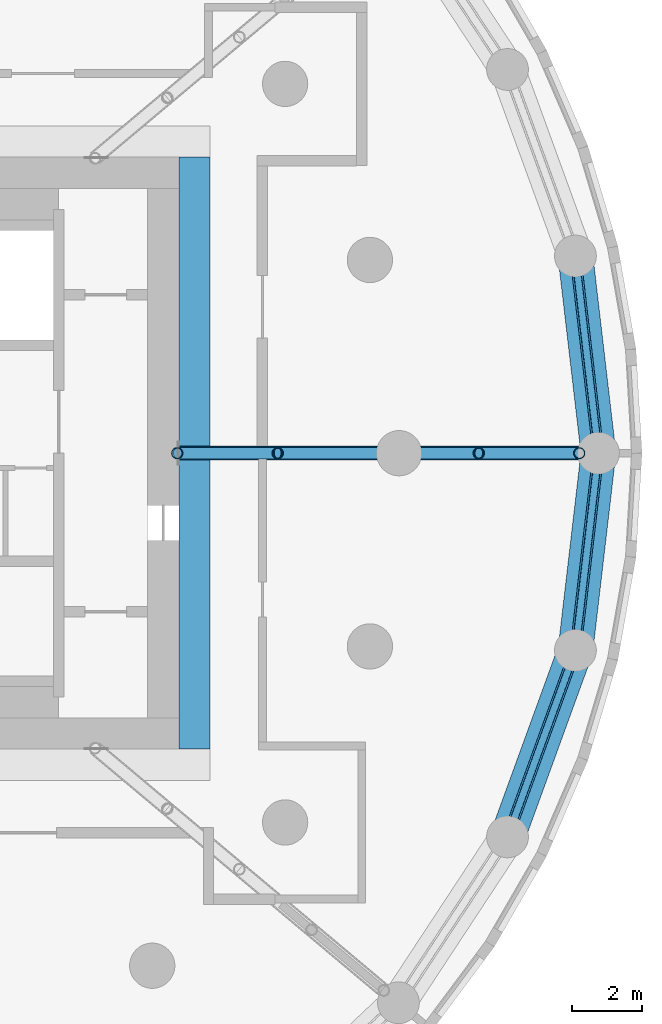
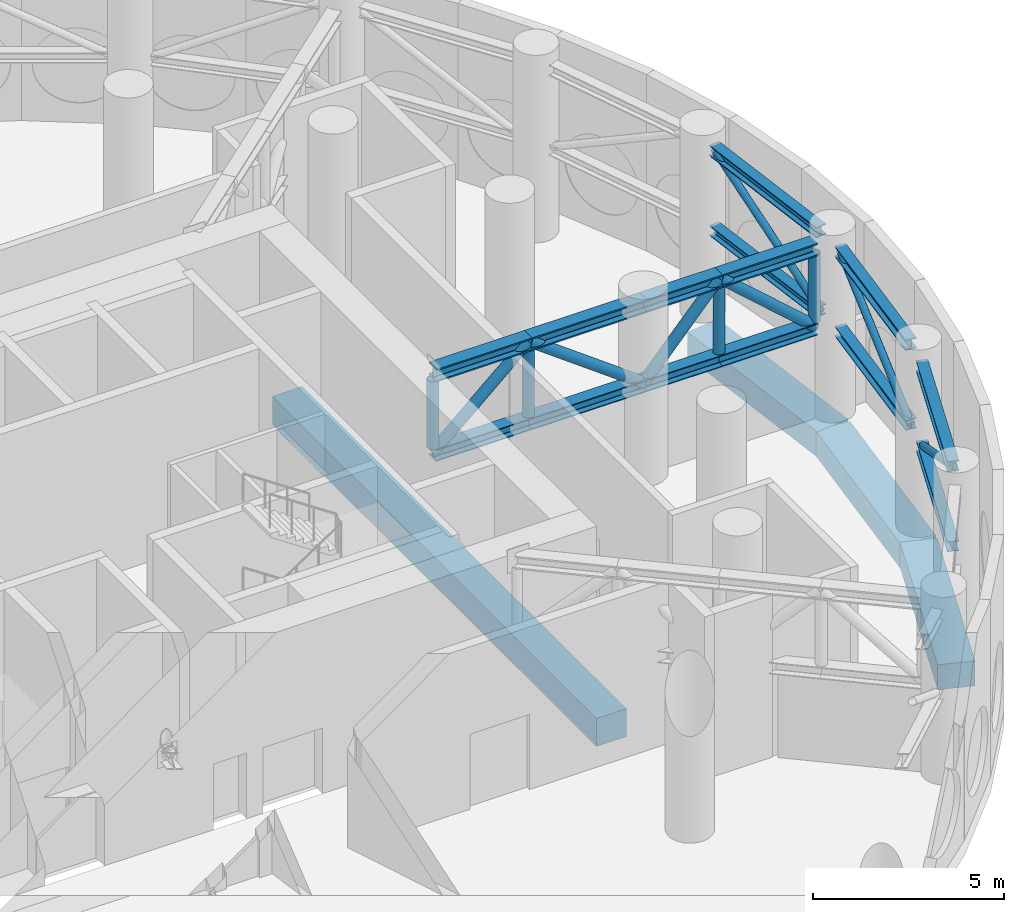
# One storey, part 4 of 15: 25 members, 4 beams.
"""IFC4 building model written with IfcOpenShell, lengths in metres."""

from ifc_helpers import new_model, si_unit, direction, frame, origin, origin_2d, place, context, subcontext, project, spatial, rectangle, hollow_circle, i_section, extrude, material, material_profile, profile_set, type_object, element, save


model = new_model("IFC4")

# Units and contexts
model_context = context("Model", 3, precision=1e-05, world=origin(), true_north=direction((0.0, 1.0)))
body_context = subcontext(model_context, "Body", "Model", "MODEL_VIEW")
ifc_project = project(units=[si_unit("LENGTHUNIT", "METRE"), si_unit("AREAUNIT", "SQUARE_METRE"), si_unit("VOLUMEUNIT", "CUBIC_METRE"), si_unit("PLANEANGLEUNIT", "RADIAN"), si_unit("MASSUNIT", "GRAM", prefix="KILO")], contexts=[model_context])

# Site, building, storey
site_placement = place(None, origin())
site = spatial("IfcSite", under=ifc_project, at=site_placement, CompositionType="ELEMENT")
building_placement = place(site_placement, origin())
building = spatial("IfcBuilding", under=site, at=building_placement, Name="Tracery Tower", CompositionType="ELEMENT")
storey_placement = place(building_placement, frame((0.0, 0.0, 225.0)))
storey = spatial("IfcBuildingStorey", under=building, at=storey_placement, Name="L58 Plant", CompositionType="ELEMENT", Elevation=225.0)

# Members
ifc_material_1 = material(Name="Steel S355", Category="steel")
ifc_material_profile_1 = material_profile(ifc_material_1, i_section(OverallWidth=0.30908203125, OverallDepth=0.320556640625, WebThickness=0.013916015625, FlangeThickness=0.021728515625, FilletRadius=0.01513671875, at=origin_2d()), Name="UKC 305x305x137")
ifc_profile_set_1 = profile_set([ifc_material_profile_1], Name="Steel S355")
member_type_1 = type_object("IfcMemberType", Name="Belt truss bottom chord UKC 305x305x137", PredefinedType="CHORD", material=ifc_profile_set_1)
for number, where, z_axis, x_axis, name in (
    (1, (24.48974609375, 0.49658203125, 2.88720703125), (-0.116102779925, 0.993237204546, 0.0), (-0.993237204546, -0.116102779925, 0.0), "Belt truss bottom chord 1"),
    (2, (22.107666015625, -10.547119140625, 2.88720703125), (0.342026676886, 0.939690242739, 0.0), (-0.939690242739, 0.342026676886, 0.0), "Belt truss bottom chord 26"),
    (3, (23.944091796875, -5.16455078125, 2.88720703125), (0.116102779925, 0.993237204546, 0.0), (-0.993237204546, 0.116102779925, 0.0), "Belt truss bottom chord 27"),
):
    element("IfcMember", number, at=place(storey_placement, frame(where, z_axis=z_axis, x_axis=x_axis)), inside=storey, type_object=member_type_1, Name=name, PredefinedType="CHORD", context=body_context, shape_type="SweptSolid", body=[
        extrude(i_section(OverallWidth=0.30908203125, OverallDepth=0.320556640625, WebThickness=0.013916015625, FlangeThickness=0.021728515625, FilletRadius=0.01513671875, at=origin_2d()), origin(), (0.0, 0.0, 1.0), 4.69970703125),
    ])
ifc_material_2 = material(Name="Steel S355", Category="steel")
ifc_material_profile_2 = material_profile(ifc_material_2, hollow_circle(Radius=0.109619140625, WallThickness=0.010009765625, at=origin_2d()), Name="CHS 219.1x10")
ifc_profile_set_2 = profile_set([ifc_material_profile_2], Name="Steel S355")
member_type_2 = type_object("IfcMemberType", Name="Belt truss diagonal CHS 219.1x10", PredefinedType="BRACE", material=ifc_profile_set_2)
for number, where, z_axis, x_axis, name in (
    (4, (24.48974609375, 0.49658203125, 2.88720703125), (-0.101961946106, 0.872265060196, 0.478285925266), (-0.993237204546, -0.116102779925, 0.0), "Belt truss diagonal 1"),
    (5, (22.107666015625, -10.547119140625, 5.44677734375), (0.30036845396, 0.825237691933, -0.478290229545), (-0.939690242739, 0.342026676886, 0.0), "Belt truss diagonal 26"),
    (6, (23.944091796875, -5.16455078125, 2.88720703125), (0.101961946106, 0.872265060196, 0.478285925266), (-0.993237204546, 0.116102779925, 0.0), "Belt truss diagonal 27"),
):
    element("IfcMember", number, at=place(storey_placement, frame(where, z_axis=z_axis, x_axis=x_axis)), inside=storey, type_object=member_type_2, Name=name, PredefinedType="BRACE", context=body_context, shape_type="SweptSolid", body=[
        extrude(hollow_circle(Radius=0.109619140625, WallThickness=0.010009765625, at=origin_2d()), origin(), (0.0, 0.0, 1.0), 5.3515625),
    ])
ifc_material_3 = material(Name="Steel S355", Category="steel")
ifc_material_profile_3 = material_profile(ifc_material_3, i_section(OverallWidth=0.314453125, OverallDepth=0.33984375, WebThickness=0.01904296875, FlangeThickness=0.031494140625, FilletRadius=0.01513671875, at=origin_2d()), Name="UKC 305x305x198")
ifc_profile_set_3 = profile_set([ifc_material_profile_3], Name="Steel S355")
member_type_3 = type_object("IfcMemberType", Name="Belt truss top chord UKC 305x305x198", PredefinedType="CHORD", material=ifc_profile_set_3)
for number, where, z_axis, x_axis, name in (
    (7, (24.48974609375, 0.49658203125, 5.44677734375), (-0.116102779925, 0.993237204546, 0.0), (-0.993237204546, -0.116102779925, 0.0), "Belt truss top chord 1"),
    (8, (22.107666015625, -10.547119140625, 5.44677734375), (0.342026676886, 0.939690242739, 0.0), (-0.939690242739, 0.342026676886, 0.0), "Belt truss top chord 26"),
    (9, (23.944091796875, -5.16455078125, 5.44677734375), (0.116102779925, 0.993237204546, 0.0), (-0.993237204546, 0.116102779925, 0.0), "Belt truss top chord 27"),
):
    element("IfcMember", number, at=place(storey_placement, frame(where, z_axis=z_axis, x_axis=x_axis)), inside=storey, type_object=member_type_3, Name=name, PredefinedType="CHORD", context=body_context, shape_type="SweptSolid", body=[
        extrude(i_section(OverallWidth=0.314453125, OverallDepth=0.33984375, WebThickness=0.01904296875, FlangeThickness=0.031494140625, FilletRadius=0.01513671875, at=origin_2d()), origin(), (0.0, 0.0, 1.0), 4.69970703125),
    ])

# Beam
ifc_material_4 = material(Name="Concrete C50/60", Category="concrete")
ifc_material_profile_4 = material_profile(ifc_material_4, rectangle(XDim=0.89990234375, YDim=0.89990234375, at=origin_2d()), Name="RC 900x900")
ifc_profile_set_4 = profile_set([ifc_material_profile_4], Name="Concrete C50/60")
beam_type_1 = type_object("IfcBeamType", Name="Core slab edge beam 900x900", PredefinedType="BEAM", material=ifc_profile_set_4)
beam_placement = place(storey_placement, frame((12.949951171875, -8.5, -0.949951171875), z_axis=(0.0, 1.0, 0.0), x_axis=(-1.0, 0.0, 0.0)))
element("IfcBeam", 10, at=beam_placement, inside=storey, type_object=beam_type_1, Name="Core hole edge beam E at L58 Plant", PredefinedType="BEAM", context=body_context, shape_type="SweptSolid", body=[
    extrude(rectangle(XDim=0.89990234375, YDim=0.89990234375, at=origin_2d()), origin(), (0.0, 0.0, 1.0), 17.0),
])

# Members
ifc_material_5 = material(Name="Steel S355", Category="steel")
ifc_material_profile_5 = material_profile(ifc_material_5, i_section(OverallWidth=0.374755859375, OverallDepth=0.37451171875, WebThickness=0.0166015625, FlangeThickness=0.027099609375, FilletRadius=0.01513671875, at=origin_2d()), Name="UKC 356x368x202")
ifc_profile_set_5 = profile_set([ifc_material_profile_5], Name="Steel S355")
member_type_4 = type_object("IfcMemberType", Name="Outrigger bottom chord UKC 356x368x202", PredefinedType="CHORD", material=ifc_profile_set_5)
member_1_placement = place(storey_placement, frame((12.449951171875, 0.0, 2.88720703125), z_axis=(1.0, 0.0, 0.0), x_axis=(0.0, 1.0, 0.0)))
element("IfcMember", 11, at=member_1_placement, inside=storey, type_object=member_type_4, Name="Outrigger 1 bottom chord 1", PredefinedType="CHORD", context=body_context, shape_type="SweptSolid", body=[
    extrude(i_section(OverallWidth=0.374755859375, OverallDepth=0.37451171875, WebThickness=0.0166015625, FlangeThickness=0.027099609375, FilletRadius=0.01513671875, at=origin_2d()), origin(), (0.0, 0.0, 1.0), 2.886962890625),
])
member_2_placement = place(storey_placement, frame((15.3369140625, 0.0, 2.88720703125), z_axis=(1.0, 0.0, 0.0), x_axis=(0.0, 1.0, 0.0)))
element("IfcMember", 12, at=member_2_placement, inside=storey, type_object=member_type_4, Name="Outrigger 1 bottom chord 2", PredefinedType="CHORD", context=body_context, shape_type="SweptSolid", body=[
    extrude(i_section(OverallWidth=0.374755859375, OverallDepth=0.37451171875, WebThickness=0.0166015625, FlangeThickness=0.027099609375, FilletRadius=0.01513671875, at=origin_2d()), origin(), (0.0, 0.0, 1.0), 3.4853515625),
])
member_3_placement = place(storey_placement, frame((18.822265625, 0.0, 2.88720703125), z_axis=(1.0, 0.0, 0.0), x_axis=(0.0, 1.0, 0.0)))
element("IfcMember", 13, at=member_3_placement, inside=storey, type_object=member_type_4, Name="Outrigger 1 bottom chord 3", PredefinedType="CHORD", context=body_context, shape_type="SweptSolid", body=[
    extrude(i_section(OverallWidth=0.374755859375, OverallDepth=0.37451171875, WebThickness=0.0166015625, FlangeThickness=0.027099609375, FilletRadius=0.01513671875, at=origin_2d()), origin(), (0.0, 0.0, 1.0), 2.28857421875),
])
member_4_placement = place(storey_placement, frame((21.11083984375, 0.0, 2.88720703125), z_axis=(1.0, 0.0, 0.0), x_axis=(0.0, 1.0, 0.0)))
element("IfcMember", 14, at=member_4_placement, inside=storey, type_object=member_type_4, Name="Outrigger 1 bottom chord 4", PredefinedType="CHORD", context=body_context, shape_type="SweptSolid", body=[
    extrude(i_section(OverallWidth=0.374755859375, OverallDepth=0.37451171875, WebThickness=0.0166015625, FlangeThickness=0.027099609375, FilletRadius=0.01513671875, at=origin_2d()), origin(), (0.0, 0.0, 1.0), 2.886962890625),
])
ifc_material_6 = material(Name="Steel S355", Category="steel")
ifc_material_profile_6 = material_profile(ifc_material_6, hollow_circle(Radius=0.161865234375, WallThickness=0.01611328125, at=origin_2d()), Name="CHS 323.9x16")
ifc_profile_set_6 = profile_set([ifc_material_profile_6], Name="Steel S355")
member_type_5 = type_object("IfcMemberType", Name="Outrigger diagonal CHS 323.9x16", PredefinedType="BRACE", material=ifc_profile_set_6)
member_5_placement = place(storey_placement, frame((12.449951171875, 0.0, 2.88720703125), z_axis=(0.748260555051, 0.0, 0.663404960605), x_axis=(0.0, 1.0, 0.0)))
element("IfcMember", 15, at=member_5_placement, inside=storey, type_object=member_type_5, Name="Outrigger 1 diagonal 1", PredefinedType="BRACE", context=body_context, shape_type="SweptSolid", body=[
    extrude(hollow_circle(Radius=0.161865234375, WallThickness=0.01611328125, at=origin_2d()), origin(), (0.0, 0.0, 1.0), 3.858154296875),
])
member_6_placement = place(storey_placement, frame((15.3369140625, 0.0, 5.44677734375), z_axis=(0.806002746031, 0.0, -0.591911795278), x_axis=(0.0, 1.0, 0.0)))
element("IfcMember", 16, at=member_6_placement, inside=storey, type_object=member_type_5, Name="Outrigger 1 diagonal 2", PredefinedType="BRACE", context=body_context, shape_type="SweptSolid", body=[
    extrude(hollow_circle(Radius=0.161865234375, WallThickness=0.01611328125, at=origin_2d()), origin(), (0.0, 0.0, 1.0), 4.32421875),
])
member_7_placement = place(storey_placement, frame((18.822265625, 0.0, 2.88720703125), z_axis=(0.666541248369, 0.0, 0.745468151045), x_axis=(0.0, 1.0, 0.0)))
element("IfcMember", 17, at=member_7_placement, inside=storey, type_object=member_type_5, Name="Outrigger 1 diagonal 3", PredefinedType="BRACE", context=body_context, shape_type="SweptSolid", body=[
    extrude(hollow_circle(Radius=0.161865234375, WallThickness=0.01611328125, at=origin_2d()), origin(), (0.0, 0.0, 1.0), 3.43359375),
])
member_8_placement = place(storey_placement, frame((21.11083984375, 0.0, 5.44677734375), z_axis=(0.748260555051, 0.0, -0.663404960605), x_axis=(0.0, 1.0, 0.0)))
element("IfcMember", 18, at=member_8_placement, inside=storey, type_object=member_type_5, Name="Outrigger 1 diagonal 4", PredefinedType="BRACE", context=body_context, shape_type="SweptSolid", body=[
    extrude(hollow_circle(Radius=0.161865234375, WallThickness=0.01611328125, at=origin_2d()), origin(), (0.0, 0.0, 1.0), 3.858154296875),
])
ifc_material_7 = material(Name="Steel S355", Category="steel")
ifc_material_profile_7 = material_profile(ifc_material_7, hollow_circle(Radius=0.161865234375, WallThickness=0.01611328125, at=origin_2d()), Name="CHS 323.9x16")
ifc_profile_set_7 = profile_set([ifc_material_profile_7], Name="Steel S355")
member_type_6 = type_object("IfcMemberType", Name="Outrigger post CHS 323.9x16", PredefinedType="POST", material=ifc_profile_set_7)
for number, where, z_axis, x_axis, name in (
    (19, (12.449951171875, 0.0, 3.07470703125), (0.0, 0.0, 1.0), (1.0, 0.0, 0.0), "Outrigger 1 post 1"),
    (20, (15.3369140625, 0.0, 3.07470703125), (0.0, 0.0, 1.0), (1.0, 0.0, 0.0), "Outrigger 1 post 2"),
    (21, (21.11083984375, 0.0, 3.07470703125), (0.0, 0.0, 1.0), (1.0, 0.0, 0.0), "Outrigger 1 post 4"),
    (22, (23.997802734375, 0.0, 3.07470703125), (0.0, 0.0, 1.0), (1.0, 0.0, 0.0), "Outrigger 1 post 5"),
):
    element("IfcMember", number, at=place(storey_placement, frame(where, z_axis=z_axis, x_axis=x_axis)), inside=storey, type_object=member_type_6, Name=name, PredefinedType="POST", context=body_context, shape_type="SweptSolid", body=[
        extrude(hollow_circle(Radius=0.161865234375, WallThickness=0.01611328125, at=origin_2d()), origin(), (0.0, 0.0, 1.0), 2.1689453125),
    ])
ifc_material_8 = material(Name="Steel S355", Category="steel")
ifc_material_profile_8 = material_profile(ifc_material_8, i_section(OverallWidth=0.403076171875, OverallDepth=0.406494140625, WebThickness=0.026611328125, FlangeThickness=0.04296875, FilletRadius=0.01513671875, at=origin_2d()), Name="UKC 356x406x340")
ifc_profile_set_8 = profile_set([ifc_material_profile_8], Name="Steel S355")
member_type_7 = type_object("IfcMemberType", Name="Outrigger top chord UKC 356x406x340", PredefinedType="CHORD", material=ifc_profile_set_8)
member_9_placement = place(storey_placement, frame((12.449951171875, 0.0, 5.44677734375), z_axis=(1.0, 0.0, 0.0), x_axis=(0.0, 1.0, 0.0)))
element("IfcMember", 23, at=member_9_placement, inside=storey, type_object=member_type_7, Name="Outrigger 1 top chord 1", PredefinedType="CHORD", context=body_context, shape_type="SweptSolid", body=[
    extrude(i_section(OverallWidth=0.403076171875, OverallDepth=0.406494140625, WebThickness=0.026611328125, FlangeThickness=0.04296875, FilletRadius=0.01513671875, at=origin_2d()), origin(), (0.0, 0.0, 1.0), 2.886962890625),
])
member_10_placement = place(storey_placement, frame((15.3369140625, 0.0, 5.44677734375), z_axis=(1.0, 0.0, 0.0), x_axis=(0.0, 1.0, 0.0)))
element("IfcMember", 24, at=member_10_placement, inside=storey, type_object=member_type_7, Name="Outrigger 1 top chord 2", PredefinedType="CHORD", context=body_context, shape_type="SweptSolid", body=[
    extrude(i_section(OverallWidth=0.403076171875, OverallDepth=0.406494140625, WebThickness=0.026611328125, FlangeThickness=0.04296875, FilletRadius=0.01513671875, at=origin_2d()), origin(), (0.0, 0.0, 1.0), 3.4853515625),
])
member_11_placement = place(storey_placement, frame((18.822265625, 0.0, 5.44677734375), z_axis=(1.0, 0.0, 0.0), x_axis=(0.0, 1.0, 0.0)))
element("IfcMember", 25, at=member_11_placement, inside=storey, type_object=member_type_7, Name="Outrigger 1 top chord 3", PredefinedType="CHORD", context=body_context, shape_type="SweptSolid", body=[
    extrude(i_section(OverallWidth=0.403076171875, OverallDepth=0.406494140625, WebThickness=0.026611328125, FlangeThickness=0.04296875, FilletRadius=0.01513671875, at=origin_2d()), origin(), (0.0, 0.0, 1.0), 2.28857421875),
])
member_12_placement = place(storey_placement, frame((21.11083984375, 0.0, 5.44677734375), z_axis=(1.0, 0.0, 0.0), x_axis=(0.0, 1.0, 0.0)))
element("IfcMember", 26, at=member_12_placement, inside=storey, type_object=member_type_7, Name="Outrigger 1 top chord 4", PredefinedType="CHORD", context=body_context, shape_type="SweptSolid", body=[
    extrude(i_section(OverallWidth=0.403076171875, OverallDepth=0.406494140625, WebThickness=0.026611328125, FlangeThickness=0.04296875, FilletRadius=0.01513671875, at=origin_2d()), origin(), (0.0, 0.0, 1.0), 2.886962890625),
])

# Beams
ifc_material_9 = material(Name="Concrete C50/60", Category="concrete")
ifc_material_profile_9 = material_profile(ifc_material_9, rectangle(XDim=1.0, YDim=0.800048828125, at=origin_2d()), Name="RC 1000x800")
ifc_profile_set_9 = profile_set([ifc_material_profile_9], Name="Concrete C50/60")
beam_type_2 = type_object("IfcBeamType", Name="Plant level band beam 1000x800", PredefinedType="BEAM", material=ifc_profile_set_9)
for number, where, z_axis, x_axis, name in (
    (27, (24.547607421875, 0.0, -0.89990234375), (-0.116080723252, 0.993239782575, 0.0), (-0.993239782575, -0.116080723252, 0.0), "Perimeter beam 1.00 under L58 Plant"),
    (28, (21.9365234375, -11.01708984375, -0.89990234375), (0.342028502279, 0.939689578334, 0.0), (-0.939689578334, 0.342028502279, 0.0), "Perimeter beam 1.25 under L58 Plant"),
    (29, (23.885986328125, -5.6611328125, -0.89990234375), (0.116080723252, 0.993239782575, 0.0), (-0.993239782575, 0.116080723252, 0.0), "Perimeter beam 1.26 under L58 Plant"),
):
    element("IfcBeam", number, at=place(storey_placement, frame(where, z_axis=z_axis, x_axis=x_axis)), inside=storey, type_object=beam_type_2, Name=name, PredefinedType="BEAM", context=body_context, shape_type="SweptSolid", body=[
        extrude(rectangle(XDim=1.0, YDim=0.800048828125, at=origin_2d()), origin(), (0.0, 0.0, 1.0), 5.69970703125),
    ])

save(model, "model.ifc")
